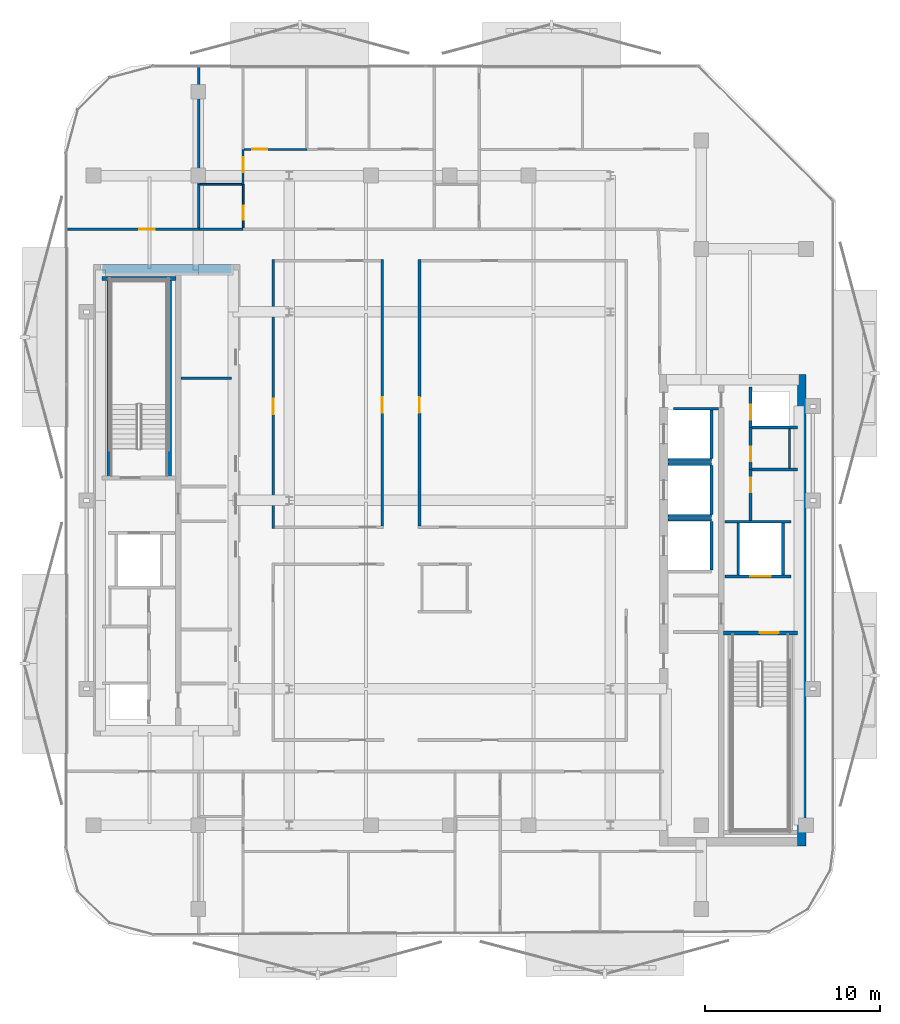
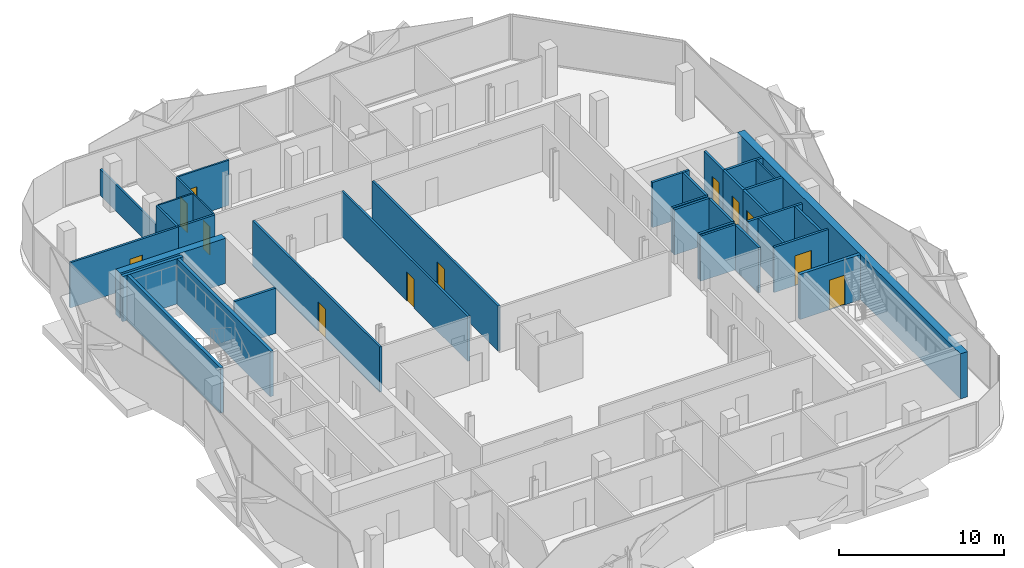
# One storey, part 5 of 16: 36 walls, 12 doors, 12 openings.
"""IFC4 building model written with IfcOpenShell, lengths in metres."""

from ifc_helpers import new_model, si_unit, direction, frame, frame_2d, origin, place, context, subcontext, project, spatial, rectangle, extrude, material, layer, layer_set, type_object, element, fill, save


model = new_model("IFC4")

# Units and contexts
model_context = context("Model", 3, precision=1e-05, world=origin(), true_north=direction((0.0, 1.0)))
body_context = subcontext(model_context, "Body", "Model", "MODEL_VIEW")
ifc_project = project(units=[si_unit("LENGTHUNIT", "METRE"), si_unit("AREAUNIT", "SQUARE_METRE"), si_unit("VOLUMEUNIT", "CUBIC_METRE"), si_unit("PLANEANGLEUNIT", "RADIAN"), si_unit("MASSUNIT", "GRAM", prefix="KILO")], contexts=[model_context])

# Site, building, storey
site_placement = place(None, origin())
site = spatial("IfcSite", under=ifc_project, at=site_placement, CompositionType="ELEMENT")
building_placement = place(site_placement, origin())
building = spatial("IfcBuilding", under=site, at=building_placement, Name="Khairoan Windgate Tower", CompositionType="ELEMENT")
storey_placement = place(building_placement, frame((0.0, 0.0, 258.39990234375)))
storey = spatial("IfcBuildingStorey", under=building, at=storey_placement, Name="L61", CompositionType="ELEMENT", Elevation=258.39990234375)

# Wall
ifc_material_1 = material(Name="Moisture-Resistant Gypsum Partition", Category="gypsum")
ifc_layer_1 = layer(ifc_material_1, 0.10009765625, Name="Moisture-Resistant Gypsum Partition")
ifc_layer_set_1 = layer_set([ifc_layer_1], Name="Moisture-Resistant Gypsum Partition")
wall_type_1 = type_object("IfcWallType", Name="Bathroom Wet-Area Partition Wall", PredefinedType="PARTITIONING", material=ifc_layer_set_1)
wall_1_placement = place(storey_placement, frame((-14.300048828125, 18.10009765625, 0.0), z_axis=(0.0, 0.0, 1.0), x_axis=(1.0, 0.0, 0.0)))
element("IfcWall", 1, at=wall_1_placement, inside=storey, type_object=wall_type_1, Name="L61 Interior Partition 039", PredefinedType="PARTITIONING", context=body_context, shape_type="SweptSolid", body=[
    extrude(rectangle(XDim=2.420166015625, YDim=0.10009765625, at=frame_2d((1.2099609375, 0.0))), origin(), (0.0, 0.0, 1.0), 3.340087890625),
])

# Wall, opening, door
wall_2_placement = place(storey_placement, frame((-11.830078125, 15.60009765625, 0.0), z_axis=(0.0, 0.0, 1.0), x_axis=(0.0, 1.0, 0.0)))
wall_2 = element("IfcWall", 2, at=wall_2_placement, inside=storey, type_object=wall_type_1, Name="L61 Interior Partition 040", PredefinedType="PARTITIONING", context=body_context, shape_type="SweptSolid", body=[
    extrude(rectangle(XDim=2.5, YDim=0.10009765625, at=frame_2d((1.25, 0.0))), origin(), (0.0, 0.0, 1.0), 3.340087890625),
])
opening_1_placement = place(wall_2_placement, frame((0.4599609375, 0.0, 0.0)))
opening_1 = element("IfcOpeningElement", 3, at=opening_1_placement, cuts=wall_2, Name="Opening ID-BTH", PredefinedType="OPENING", context=body_context, shape_type="SweptSolid", body=[
    extrude(rectangle(XDim=0.800048828125, YDim=2.10009765625, at=frame_2d((0.39990234375, 1.050048828125))), frame((0.0, 0.06005859375, 0.0), z_axis=(0.0, -1.0, 0.0), x_axis=(1.0, 0.0, 0.0)), (0.0, 0.0, 1.0), 0.1201171875),
])
ifc_material_2 = material(Name="Teak Veneer Timber Leaf", Category="wood")
door_type_1 = type_object("IfcDoorType", Name="Internal Bathroom Door ID-BTH 800x2100", OperationType="NOTDEFINED", PredefinedType="DOOR", material=ifc_material_2)
door_1_placement = place(opening_1_placement, origin())
door_1 = element("IfcDoor", 4, at=door_1_placement, inside=storey, type_object=door_type_1, Name="L61 L61-33-L61-35 Door", OperationType="SINGLE_SWING_RIGHT", OverallHeight=2.10009765625, OverallWidth=0.800048828125, PredefinedType="DOOR", context=body_context, shape_type="SweptSolid", body=[
    extrude(rectangle(XDim=0.800048828125, YDim=2.10009765625, at=frame_2d((0.39990234375, 1.050048828125))), frame((0.0, 0.02490234375, 0.0), z_axis=(0.0, -1.0, 0.0), x_axis=(1.0, 0.0, 0.0)), (0.0, 0.0, 1.0), 0.050048828125),
])
fill(opening_1, door_1)

# Walls
wall_3_placement = place(storey_placement, frame((19.449951171875, 4.090087890625, 0.0), z_axis=(0.0, 0.0, 1.0), x_axis=(0.0, -1.0, 0.0)))
element("IfcWall", 5, at=wall_3_placement, inside=storey, type_object=wall_type_1, Name="L61 Wet Room Side Wall 082", PredefinedType="PARTITIONING", context=body_context, shape_type="SweptSolid", body=[
    extrude(rectangle(XDim=2.239990234375, YDim=0.10009765625, at=frame_2d((1.1201171875, 0.0))), origin(), (0.0, 0.0, 1.0), 3.340087890625),
])
ifc_material_3 = material(Name="Concrete C40/50", Category="concrete")
ifc_layer_2 = layer(ifc_material_3, 0.159912109375, Name="Concrete C40/50")
ifc_layer_set_2 = layer_set([ifc_layer_2], Name="Concrete C40/50")
wall_type_2 = type_object("IfcWallType", Name="Core and Hoistway Enclosure Wall", PredefinedType="STANDARD", material=ifc_layer_set_2)
wall_4_placement = place(storey_placement, frame((12.5, 2.31005859375, 0.0), z_axis=(0.0, 0.0, 1.0), x_axis=(1.0, 0.0, 0.0)))
element("IfcWall", 6, at=wall_4_placement, inside=storey, type_object=wall_type_2, Name="L61 Lift PL7 Hoistway Divider S", PredefinedType="STANDARD", context=body_context, shape_type="SweptSolid", body=[
    extrude(rectangle(XDim=2.489990234375, YDim=0.159912109375, at=frame_2d((1.2451171875, 0.0))), origin(), (0.0, 0.0, 1.0), 3.340087890625),
])
wall_5_placement = place(storey_placement, frame((14.989990234375, 2.39990234375, 0.0), z_axis=(0.0, 0.0, 1.0), x_axis=(0.0, 1.0, 0.0)))
element("IfcWall", 7, at=wall_5_placement, inside=storey, type_object=wall_type_2, Name="L61 Lift PL7 Hoistway Back Wall", PredefinedType="STANDARD", context=body_context, shape_type="SweptSolid", body=[
    extrude(rectangle(XDim=2.800048828125, YDim=0.159912109375, at=frame_2d((1.39990234375, 0.0))), origin(), (0.0, 0.0, 1.0), 3.340087890625),
])
for number, where, z_axis, x_axis, name in (
    (8, (12.5, -0.889892578125, 0.0), (0.0, 0.0, 1.0), (1.0, 0.0, 0.0), "L61 Lift PL8 Hoistway Divider S"),
    (9, (12.5, 2.090087890625, 0.0), (0.0, 0.0, 1.0), (1.0, 0.0, 0.0), "L61 Lift PL8 Hoistway Divider N"),
):
    element("IfcWall", number, at=place(storey_placement, frame(where, z_axis=z_axis, x_axis=x_axis)), inside=storey, type_object=wall_type_2, Name=name, PredefinedType="STANDARD", context=body_context, shape_type="SweptSolid", body=[
        extrude(rectangle(XDim=2.489990234375, YDim=0.159912109375, at=frame_2d((1.2451171875, 0.0))), origin(), (0.0, 0.0, 1.0), 3.340087890625),
    ])
wall_6_placement = place(storey_placement, frame((14.989990234375, -0.800048828125, 0.0), z_axis=(0.0, 0.0, 1.0), x_axis=(0.0, 1.0, 0.0)))
element("IfcWall", 10, at=wall_6_placement, inside=storey, type_object=wall_type_2, Name="L61 Lift PL8 Hoistway Back Wall", PredefinedType="STANDARD", context=body_context, shape_type="SweptSolid", body=[
    extrude(rectangle(XDim=2.800048828125, YDim=0.159912109375, at=frame_2d((1.39990234375, 0.0))), origin(), (0.0, 0.0, 1.0), 3.340087890625),
])
wall_7_placement = place(storey_placement, frame((12.5, -1.110107421875, 0.0), z_axis=(0.0, 0.0, 1.0), x_axis=(1.0, 0.0, 0.0)))
element("IfcWall", 11, at=wall_7_placement, inside=storey, type_object=wall_type_2, Name="L61 Lift PL9 Hoistway Divider N", PredefinedType="STANDARD", context=body_context, shape_type="SweptSolid", body=[
    extrude(rectangle(XDim=2.489990234375, YDim=0.159912109375, at=frame_2d((1.2451171875, 0.0))), origin(), (0.0, 0.0, 1.0), 3.340087890625),
])
wall_8_placement = place(storey_placement, frame((14.989990234375, -4.0, 0.0), z_axis=(0.0, 0.0, 1.0), x_axis=(0.0, 1.0, 0.0)))
element("IfcWall", 12, at=wall_8_placement, inside=storey, type_object=wall_type_2, Name="L61 Lift PL9 Hoistway Back Wall", PredefinedType="STANDARD", context=body_context, shape_type="SweptSolid", body=[
    extrude(rectangle(XDim=2.800048828125, YDim=0.159912109375, at=frame_2d((1.39990234375, 0.0))), origin(), (0.0, 0.0, 1.0), 3.340087890625),
])

# Wall, opening, door
wall_9_placement = place(storey_placement, frame((15.75, -4.360107421875, 0.0), z_axis=(0.0, 0.0, 1.0), x_axis=(1.0, 0.0, 0.0)))
wall_9 = element("IfcWall", 13, at=wall_9_placement, inside=storey, type_object=wall_type_2, Name="L61 Core Shaft Wall SW-FL1-L61", PredefinedType="STANDARD", context=body_context, shape_type="SweptSolid", body=[
    extrude(rectangle(XDim=3.800048828125, YDim=0.159912109375, at=frame_2d((1.89990234375, 0.0))), origin(), (0.0, 0.0, 1.0), 3.340087890625),
])
opening_2_placement = place(wall_9_placement, frame((1.469970703125, 0.0, 0.0)))
opening_2 = element("IfcOpeningElement", 14, at=opening_2_placement, cuts=wall_9, Name="Opening LD-FL", PredefinedType="OPENING", context=body_context, shape_type="SweptSolid", body=[
    extrude(rectangle(XDim=1.14990234375, YDim=2.199951171875, at=frame_2d((0.574951171875, 1.10009765625))), frame((0.0, 0.08984375, 0.0), z_axis=(0.0, -1.0, 0.0), x_axis=(1.0, 0.0, 0.0)), (0.0, 0.0, 1.0), 0.179931640625),
])
ifc_material_4 = material(Name="Steel S355", Category="steel")
door_type_2 = type_object("IfcDoorType", Name="Firefighting Lift Sliding Landing Door LD-FL 1150x2200", OperationType="DOUBLE_DOOR_SLIDING", PredefinedType="DOOR", material=ifc_material_4)
door_2_placement = place(opening_2_placement, origin())
door_2 = element("IfcDoor", 15, at=door_2_placement, inside=storey, type_object=door_type_2, Name="L61 Firefighting Lift FL1 Landing Door", OperationType="DOUBLE_DOOR_SLIDING", OverallHeight=2.199951171875, OverallWidth=1.14990234375, PredefinedType="DOOR", context=body_context, shape_type="SweptSolid", body=[
    extrude(rectangle(XDim=1.14990234375, YDim=2.199951171875, at=frame_2d((0.574951171875, 1.10009765625))), frame((0.0, 0.02490234375, 0.0), z_axis=(0.0, -1.0, 0.0), x_axis=(1.0, 0.0, 0.0)), (0.0, 0.0, 1.0), 0.050048828125),
])
fill(opening_2, door_2)

# Walls
wall_10_placement = place(storey_placement, frame((15.75, -1.219970703125, 0.0), z_axis=(0.0, 0.0, 1.0), x_axis=(1.0, 0.0, 0.0)))
element("IfcWall", 16, at=wall_10_placement, inside=storey, type_object=wall_type_2, Name="L61 Core Shaft Wall SW-FL1T-L61", PredefinedType="STANDARD", context=body_context, shape_type="SweptSolid", body=[
    extrude(rectangle(XDim=3.800048828125, YDim=0.159912109375, at=frame_2d((1.89990234375, 0.0))), origin(), (0.0, 0.0, 1.0), 3.340087890625),
])
for number, where, z_axis, x_axis, name in (
    (17, (16.52001953125, -4.280029296875, 0.0), (0.0, 0.0, 1.0), (0.0, 1.0, 0.0), "L61 Core Shaft Wall SW-FL1W-L61"),
    (18, (19.080078125, -4.280029296875, 0.0), (0.0, 0.0, 1.0), (0.0, 1.0, 0.0), "L61 Core Shaft Wall SW-FL1E-L61"),
):
    element("IfcWall", number, at=place(storey_placement, frame(where, z_axis=z_axis, x_axis=x_axis)), inside=storey, type_object=wall_type_2, Name=name, PredefinedType="STANDARD", context=body_context, shape_type="SweptSolid", body=[
        extrude(rectangle(XDim=2.97998046875, YDim=0.159912109375, at=frame_2d((1.489990234375, 0.0))), origin(), (0.0, 0.0, 1.0), 3.340087890625),
    ])
wall_11_placement = place(storey_placement, frame((12.800048828125, 5.25, 0.0), z_axis=(0.0, 0.0, 1.0), x_axis=(1.0, 0.0, 0.0)))
element("IfcWall", 19, at=wall_11_placement, inside=storey, type_object=wall_type_2, Name="L61 Core Shaft Wall SW-ESV-L61", PredefinedType="STANDARD", context=body_context, shape_type="SweptSolid", body=[
    extrude(rectangle(XDim=2.599853515625, YDim=0.159912109375, at=frame_2d((1.2998046875, 0.0))), origin(), (0.0, 0.0, 1.0), 3.340087890625),
])
ifc_material_5 = material(Name="Acoustic Fire-Rated Gypsum Partition", Category="gypsum")
ifc_layer_3 = layer(ifc_material_5, 0.139892578125, Name="Acoustic Fire-Rated Gypsum Partition")
ifc_layer_set_3 = layer_set([ifc_layer_3], Name="Acoustic Fire-Rated Gypsum Partition")
wall_type_3 = type_object("IfcWallType", Name="Inter-Tenancy Compartment Wall", PredefinedType="PARTITIONING", material=ifc_layer_set_3)
wall_12_placement = place(storey_placement, frame((-14.3701171875, 15.60009765625, 0.0), z_axis=(0.0, 0.0, 1.0), x_axis=(0.0, 1.0, 0.0)))
element("IfcWall", 20, at=wall_12_placement, inside=storey, type_object=wall_type_3, Name="L61 Interior Partition 041", PredefinedType="PARTITIONING", context=body_context, shape_type="SweptSolid", body=[
    extrude(rectangle(XDim=2.5, YDim=0.139892578125, at=frame_2d((1.25, 0.0))), origin(), (0.0, 0.0, 1.0), 3.340087890625),
])
wall_13_placement = place(storey_placement, frame((-14.3701171875, 18.10009765625, 0.0), z_axis=(0.0, 0.0, 1.0), x_axis=(0.0, 1.0, 0.0)))
element("IfcWall", 21, at=wall_13_placement, inside=storey, type_object=wall_type_3, Name="L61 Interior Partition 044", PredefinedType="PARTITIONING", context=body_context, shape_type="SweptSolid", body=[
    extrude(rectangle(XDim=6.7548828125, YDim=0.139892578125, at=frame_2d((3.37744140625, 0.0))), origin(), (0.0, 0.0, 1.0), 1.940185546875),
])

# Wall, opening, door
ifc_material_6 = material(Name="Gypsum Stud Partition", Category="gypsum")
ifc_layer_4 = layer(ifc_material_6, 0.1201171875, Name="Gypsum Stud Partition")
ifc_layer_set_4 = layer_set([ifc_layer_4], Name="Gypsum Stud Partition")
wall_type_4 = type_object("IfcWallType", Name="Internal Room Partition Wall", PredefinedType="PARTITIONING", material=ifc_layer_set_4)
wall_14_placement = place(storey_placement, frame((-11.830078125, 18.10009765625, 0.0), z_axis=(0.0, 0.0, 1.0), x_axis=(0.0, 1.0, 0.0)))
wall_14 = element("IfcWall", 22, at=wall_14_placement, inside=storey, type_object=wall_type_4, Name="L61 Interior Partition 042", PredefinedType="PARTITIONING", context=body_context, shape_type="SweptSolid", body=[
    extrude(rectangle(XDim=2.0, YDim=0.1201171875, at=frame_2d((1.0, 0.0))), origin(), (0.0, 0.0, 1.0), 3.340087890625),
])
opening_3_placement = place(wall_14_placement, frame((0.679931640625, 0.0, 0.0)))
opening_3 = element("IfcOpeningElement", 23, at=opening_3_placement, cuts=wall_14, Name="Opening ID-RM", PredefinedType="OPENING", context=body_context, shape_type="SweptSolid", body=[
    extrude(rectangle(XDim=0.860107421875, YDim=2.14990234375, at=frame_2d((0.43017578125, 1.074951171875))), frame((0.0, 0.070068359375, 0.0), z_axis=(0.0, -1.0, 0.0), x_axis=(1.0, 0.0, 0.0)), (0.0, 0.0, 1.0), 0.14013671875),
])
ifc_material_7 = material(Name="Teak Veneer Timber Leaf", Category="wood")
door_type_3 = type_object("IfcDoorType", Name="Internal Bedroom and Office Door ID-RM 860x2150", OperationType="NOTDEFINED", PredefinedType="DOOR", material=ifc_material_7)
door_3_placement = place(opening_3_placement, origin())
door_3 = element("IfcDoor", 24, at=door_3_placement, inside=storey, type_object=door_type_3, Name="L61 L61-34-L61-35 Door", OperationType="SINGLE_SWING_LEFT", OverallHeight=2.14990234375, OverallWidth=0.860107421875, PredefinedType="DOOR", context=body_context, shape_type="SweptSolid", body=[
    extrude(rectangle(XDim=0.860107421875, YDim=2.14990234375, at=frame_2d((0.43017578125, 1.074951171875))), frame((0.0, 0.02490234375, 0.0), z_axis=(0.0, -1.0, 0.0), x_axis=(1.0, 0.0, 0.0)), (0.0, 0.0, 1.0), 0.050048828125),
])
fill(opening_3, door_3)

wall_15_placement = place(storey_placement, frame((-11.77001953125, 20.10009765625, 0.0), z_axis=(0.0, 0.0, 1.0), x_axis=(1.0, 0.0, 0.0)))
wall_15 = element("IfcWall", 25, at=wall_15_placement, inside=storey, type_object=wall_type_4, Name="L61 Interior Partition 045", PredefinedType="PARTITIONING", context=body_context, shape_type="SweptSolid", body=[
    extrude(rectangle(XDim=3.5830078125, YDim=0.1201171875, at=frame_2d((1.79150390625, 0.0))), origin(), (0.0, 0.0, 1.0), 3.340087890625),
])
opening_4_placement = place(wall_15_placement, frame((0.4599609375, 0.0, 0.0)))
opening_4 = element("IfcOpeningElement", 26, at=opening_4_placement, cuts=wall_15, Name="Opening ID-RM", PredefinedType="OPENING", context=body_context, shape_type="SweptSolid", body=[
    extrude(rectangle(XDim=0.860107421875, YDim=2.14990234375, at=frame_2d((0.43017578125, 1.074951171875))), frame((0.0, 0.070068359375, 0.0), z_axis=(0.0, -1.0, 0.0), x_axis=(1.0, 0.0, 0.0)), (0.0, 0.0, 1.0), 0.14013671875),
])
door_4_placement = place(opening_4_placement, origin())
door_4 = element("IfcDoor", 27, at=door_4_placement, inside=storey, type_object=door_type_3, Name="L61 L61-35-L61-36 Door", OperationType="SINGLE_SWING_RIGHT", OverallHeight=2.14990234375, OverallWidth=0.860107421875, PredefinedType="DOOR", context=body_context, shape_type="SweptSolid", body=[
    extrude(rectangle(XDim=0.860107421875, YDim=2.14990234375, at=frame_2d((0.43017578125, 1.074951171875))), frame((0.0, 0.02490234375, 0.0), z_axis=(0.0, -1.0, 0.0), x_axis=(1.0, 0.0, 0.0)), (0.0, 0.0, 1.0), 0.050048828125),
])
fill(opening_4, door_4)

# Wall
ifc_material_8 = material(Name="Concrete C40/50", Category="concrete")
ifc_layer_5 = layer(ifc_material_8, 0.159912109375, Name="Concrete C40/50")
ifc_layer_set_5 = layer_set([ifc_layer_5], Name="Concrete C40/50")
wall_type_5 = type_object("IfcWallType", Name="Plant and Refuge Compartment Wall", PredefinedType="PARTITIONING", material=ifc_layer_set_5)
wall_16_placement = place(storey_placement, frame((-15.39990234375, 7.0, 0.0), z_axis=(0.0, 0.0, 1.0), x_axis=(1.0, 0.0, 0.0)))
element("IfcWall", 28, at=wall_16_placement, inside=storey, type_object=wall_type_5, Name="L61 Interior Partition 006", PredefinedType="PARTITIONING", context=body_context, shape_type="SweptSolid", body=[
    extrude(rectangle(XDim=2.89990234375, YDim=0.159912109375, at=frame_2d((1.449951171875, 0.0))), origin(), (0.0, 0.0, 1.0), 3.340087890625),
])

# Wall, opening, door
wall_17_placement = place(storey_placement, frame((17.22998046875, 4.169921875, 0.0), z_axis=(0.0, 0.0, 1.0), x_axis=(0.0, 1.0, 0.0)))
wall_17 = element("IfcWall", 29, at=wall_17_placement, inside=storey, type_object=wall_type_5, Name="L61 Interior Partition 008", PredefinedType="PARTITIONING", context=body_context, shape_type="SweptSolid", body=[
    extrude(rectangle(XDim=2.320068359375, YDim=0.159912109375, at=frame_2d((1.16015625, 0.0))), origin(), (0.0, 0.0, 1.0), 3.340087890625),
])
opening_5_placement = place(wall_17_placement, frame((0.4599609375, 0.0, 0.0)))
opening_5 = element("IfcOpeningElement", 30, at=opening_5_placement, cuts=wall_17, Name="Opening FD-SRV", PredefinedType="OPENING", context=body_context, shape_type="SweptSolid", body=[
    extrude(rectangle(XDim=0.85009765625, YDim=2.10009765625, at=frame_2d((0.425048828125, 1.050048828125))), frame((0.0, 0.08984375, 0.0), z_axis=(0.0, -1.0, 0.0), x_axis=(1.0, 0.0, 0.0)), (0.0, 0.0, 1.0), 0.179931640625),
])
ifc_material_9 = material(Name="Steel S355", Category="steel")
door_type_4 = type_object("IfcDoorType", Name="Core Service and Riser Fire Door FD-SRV 850x2100", OperationType="NOTDEFINED", PredefinedType="DOOR", material=ifc_material_9)
door_5_placement = place(opening_5_placement, origin())
door_5 = element("IfcDoor", 31, at=door_5_placement, inside=storey, type_object=door_type_4, Name="L61 L61-17-L61-18 Door", OperationType="SINGLE_SWING_LEFT", OverallHeight=2.10009765625, OverallWidth=0.85009765625, PredefinedType="DOOR", context=body_context, shape_type="SweptSolid", body=[
    extrude(rectangle(XDim=0.85009765625, YDim=2.10009765625, at=frame_2d((0.425048828125, 1.050048828125))), frame((0.0, 0.02490234375, 0.0), z_axis=(0.0, -1.0, 0.0), x_axis=(1.0, 0.0, 0.0)), (0.0, 0.0, 1.0), 0.050048828125),
])
fill(opening_5, door_5)

wall_18_placement = place(storey_placement, frame((17.22998046875, 1.77001953125, 0.0), z_axis=(0.0, 0.0, 1.0), x_axis=(0.0, 1.0, 0.0)))
wall_18 = element("IfcWall", 32, at=wall_18_placement, inside=storey, type_object=wall_type_5, Name="L61 Interior Partition 009", PredefinedType="PARTITIONING", context=body_context, shape_type="SweptSolid", body=[
    extrude(rectangle(XDim=2.39990234375, YDim=0.159912109375, at=frame_2d((1.199951171875, 0.0))), origin(), (0.0, 0.0, 1.0), 3.340087890625),
])
opening_6_placement = place(wall_18_placement, frame((0.4599609375, 0.0, 0.0)))
opening_6 = element("IfcOpeningElement", 33, at=opening_6_placement, cuts=wall_18, Name="Opening FD-SRV", PredefinedType="OPENING", context=body_context, shape_type="SweptSolid", body=[
    extrude(rectangle(XDim=0.85009765625, YDim=2.10009765625, at=frame_2d((0.425048828125, 1.050048828125))), frame((0.0, 0.08984375, 0.0), z_axis=(0.0, -1.0, 0.0), x_axis=(1.0, 0.0, 0.0)), (0.0, 0.0, 1.0), 0.179931640625),
])
door_6_placement = place(opening_6_placement, origin())
door_6 = element("IfcDoor", 34, at=door_6_placement, inside=storey, type_object=door_type_4, Name="L61 L61-17-L61-19 Door", OperationType="SINGLE_SWING_RIGHT", OverallHeight=2.10009765625, OverallWidth=0.85009765625, PredefinedType="DOOR", context=body_context, shape_type="SweptSolid", body=[
    extrude(rectangle(XDim=0.85009765625, YDim=2.10009765625, at=frame_2d((0.425048828125, 1.050048828125))), frame((0.0, 0.02490234375, 0.0), z_axis=(0.0, -1.0, 0.0), x_axis=(1.0, 0.0, 0.0)), (0.0, 0.0, 1.0), 0.050048828125),
])
fill(opening_6, door_6)

wall_19_placement = place(storey_placement, frame((17.22998046875, -1.139892578125, 0.0), z_axis=(0.0, 0.0, 1.0), x_axis=(0.0, 1.0, 0.0)))
wall_19 = element("IfcWall", 35, at=wall_19_placement, inside=storey, type_object=wall_type_5, Name="L61 Interior Partition 010", PredefinedType="PARTITIONING", context=body_context, shape_type="SweptSolid", body=[
    extrude(rectangle(XDim=2.909912109375, YDim=0.159912109375, at=frame_2d((1.455078125, 0.0))), origin(), (0.0, 0.0, 1.0), 3.340087890625),
])
opening_7_placement = place(wall_19_placement, frame((1.60009765625, 0.0, 0.0)))
opening_7 = element("IfcOpeningElement", 36, at=opening_7_placement, cuts=wall_19, Name="Opening FD-SRV", PredefinedType="OPENING", context=body_context, shape_type="SweptSolid", body=[
    extrude(rectangle(XDim=0.85009765625, YDim=2.10009765625, at=frame_2d((0.425048828125, 1.050048828125))), frame((0.0, 0.08984375, 0.0), z_axis=(0.0, -1.0, 0.0), x_axis=(1.0, 0.0, 0.0)), (0.0, 0.0, 1.0), 0.179931640625),
])
door_7_placement = place(opening_7_placement, origin())
door_7 = element("IfcDoor", 37, at=door_7_placement, inside=storey, type_object=door_type_4, Name="L61 L61-17-L61-20 Door", OperationType="SINGLE_SWING_LEFT", OverallHeight=2.10009765625, OverallWidth=0.85009765625, PredefinedType="DOOR", context=body_context, shape_type="SweptSolid", body=[
    extrude(rectangle(XDim=0.85009765625, YDim=2.10009765625, at=frame_2d((0.425048828125, 1.050048828125))), frame((0.0, 0.02490234375, 0.0), z_axis=(0.0, -1.0, 0.0), x_axis=(1.0, 0.0, 0.0)), (0.0, 0.0, 1.0), 0.050048828125),
])
fill(opening_7, door_7)

# Walls
for number, where, z_axis, x_axis, name in (
    (38, (17.31005859375, 4.169921875, 0.0), (0.0, 0.0, 1.0), (1.0, 0.0, 0.0), "L61 Interior Partition 011"),
    (39, (17.31005859375, 1.77001953125, 0.0), (0.0, 0.0, 1.0), (1.0, 0.0, 0.0), "L61 Interior Partition 012"),
):
    element("IfcWall", number, at=place(storey_placement, frame(where, z_axis=z_axis, x_axis=x_axis)), inside=storey, type_object=wall_type_5, Name=name, PredefinedType="PARTITIONING", context=body_context, shape_type="SweptSolid", body=[
        extrude(rectangle(XDim=2.58984375, YDim=0.159912109375, at=frame_2d((1.294921875, 0.0))), origin(), (0.0, 0.0, 1.0), 3.340087890625),
    ])

# Wall, opening, door
ifc_material_10 = material(Name="Acoustic Fire-Rated Gypsum Partition", Category="gypsum")
ifc_layer_6 = layer(ifc_material_10, 0.14990234375, Name="Acoustic Fire-Rated Gypsum Partition")
ifc_layer_set_6 = layer_set([ifc_layer_6], Name="Acoustic Fire-Rated Gypsum Partition")
wall_type_6 = type_object("IfcWallType", Name="Rated Corridor Partition Wall", PredefinedType="PARTITIONING", material=ifc_layer_set_6)
wall_20_placement = place(storey_placement, frame((-10.10009765625, -1.610107421875, 0.0), z_axis=(0.0, 0.0, 1.0), x_axis=(0.0, 1.0, 0.0)))
wall_20 = element("IfcWall", 40, at=wall_20_placement, inside=storey, type_object=wall_type_6, Name="L61 Interior Partition 013", PredefinedType="PARTITIONING", context=body_context, shape_type="SweptSolid", body=[
    extrude(rectangle(XDim=15.405029296875, YDim=0.14990234375, at=frame_2d((7.70263671875, 0.0))), origin(), (0.0, 0.0, 1.0), 3.340087890625),
])
opening_8_placement = place(wall_20_placement, frame((6.542724609375, 0.0, 0.0)))
opening_8 = element("IfcOpeningElement", 41, at=opening_8_placement, cuts=wall_20, Name="Opening FD-ENT", PredefinedType="OPENING", context=body_context, shape_type="SweptSolid", body=[
    extrude(rectangle(XDim=0.89990234375, YDim=2.14990234375, at=frame_2d((0.449951171875, 1.074951171875))), frame((0.0, 0.0849609375, 0.0), z_axis=(0.0, -1.0, 0.0), x_axis=(1.0, 0.0, 0.0)), (0.0, 0.0, 1.0), 0.169921875),
])
ifc_material_11 = material(Name="Timber Fire-Rated Core", Category="wood")
door_type_5 = type_object("IfcDoorType", Name="Unit and Office Fire Entrance Door FD-ENT 900x2150", OperationType="NOTDEFINED", PredefinedType="DOOR", material=ifc_material_11)
door_8_placement = place(opening_8_placement, origin())
door_8 = element("IfcDoor", 42, at=door_8_placement, inside=storey, type_object=door_type_5, Name="L61 L61-27-L61-57 Door", OperationType="SINGLE_SWING_RIGHT", OverallHeight=2.14990234375, OverallWidth=0.89990234375, PredefinedType="DOOR", context=body_context, shape_type="SweptSolid", body=[
    extrude(rectangle(XDim=0.89990234375, YDim=2.14990234375, at=frame_2d((0.449951171875, 1.074951171875))), frame((0.0, 0.02490234375, 0.0), z_axis=(0.0, -1.0, 0.0), x_axis=(1.0, 0.0, 0.0)), (0.0, 0.0, 1.0), 0.050048828125),
])
fill(opening_8, door_8)

wall_21_placement = place(storey_placement, frame((-3.864990234375, -1.4599609375, 0.0), z_axis=(0.0, 0.0, 1.0), x_axis=(0.0, 1.0, 0.0)))
wall_21 = element("IfcWall", 43, at=wall_21_placement, inside=storey, type_object=wall_type_6, Name="L61 Interior Partition 022", PredefinedType="PARTITIONING", context=body_context, shape_type="SweptSolid", body=[
    extrude(rectangle(XDim=15.2548828125, YDim=0.14990234375, at=frame_2d((7.62744140625, 0.0))), origin(), (0.0, 0.0, 1.0), 3.340087890625),
])
opening_9_placement = place(wall_21_placement, frame((6.4755859375, 0.0, 0.0)))
opening_9 = element("IfcOpeningElement", 44, at=opening_9_placement, cuts=wall_21, Name="Opening FD-ENT", PredefinedType="OPENING", context=body_context, shape_type="SweptSolid", body=[
    extrude(rectangle(XDim=0.89990234375, YDim=2.14990234375, at=frame_2d((0.449951171875, 1.074951171875))), frame((0.0, 0.0849609375, 0.0), z_axis=(0.0, -1.0, 0.0), x_axis=(1.0, 0.0, 0.0)), (0.0, 0.0, 1.0), 0.169921875),
])
door_9_placement = place(opening_9_placement, origin())
door_9 = element("IfcDoor", 45, at=door_9_placement, inside=storey, type_object=door_type_5, Name="L61 L61-30-L61-57 Door", OperationType="SINGLE_SWING_LEFT", OverallHeight=2.14990234375, OverallWidth=0.89990234375, PredefinedType="DOOR", context=body_context, shape_type="SweptSolid", body=[
    extrude(rectangle(XDim=0.89990234375, YDim=2.14990234375, at=frame_2d((0.449951171875, 1.074951171875))), frame((0.0, 0.02490234375, 0.0), z_axis=(0.0, -1.0, 0.0), x_axis=(1.0, 0.0, 0.0)), (0.0, 0.0, 1.0), 0.050048828125),
])
fill(opening_9, door_9)

wall_22_placement = place(storey_placement, frame((-1.735107421875, -1.4599609375, 0.0), z_axis=(0.0, 0.0, 1.0), x_axis=(0.0, 1.0, 0.0)))
wall_22 = element("IfcWall", 46, at=wall_22_placement, inside=storey, type_object=wall_type_6, Name="L61 Interior Partition 023", PredefinedType="PARTITIONING", context=body_context, shape_type="SweptSolid", body=[
    extrude(rectangle(XDim=15.2548828125, YDim=0.14990234375, at=frame_2d((7.62744140625, 0.0))), origin(), (0.0, 0.0, 1.0), 3.340087890625),
])
opening_10_placement = place(wall_22_placement, frame((6.4755859375, 0.0, 0.0)))
opening_10 = element("IfcOpeningElement", 47, at=opening_10_placement, cuts=wall_22, Name="Opening FD-ENT", PredefinedType="OPENING", context=body_context, shape_type="SweptSolid", body=[
    extrude(rectangle(XDim=0.89990234375, YDim=2.14990234375, at=frame_2d((0.449951171875, 1.074951171875))), frame((0.0, 0.0849609375, 0.0), z_axis=(0.0, -1.0, 0.0), x_axis=(1.0, 0.0, 0.0)), (0.0, 0.0, 1.0), 0.169921875),
])
door_10_placement = place(opening_10_placement, origin())
door_10 = element("IfcDoor", 48, at=door_10_placement, inside=storey, type_object=door_type_5, Name="L61 L61-30-L61-59 Door", OperationType="SINGLE_SWING_RIGHT", OverallHeight=2.14990234375, OverallWidth=0.89990234375, PredefinedType="DOOR", context=body_context, shape_type="SweptSolid", body=[
    extrude(rectangle(XDim=0.89990234375, YDim=2.14990234375, at=frame_2d((0.449951171875, 1.074951171875))), frame((0.0, 0.02490234375, 0.0), z_axis=(0.0, -1.0, 0.0), x_axis=(1.0, 0.0, 0.0)), (0.0, 0.0, 1.0), 0.050048828125),
])
fill(opening_10, door_10)

# Wall
wall_23_placement = place(storey_placement, frame((-14.3701171875, 15.52490234375, 0.0), z_axis=(0.0, 0.0, 1.0), x_axis=(1.0, 0.0, 0.0)))
element("IfcWall", 49, at=wall_23_placement, inside=storey, type_object=wall_type_6, Name="L61 Interior Partition 024", PredefinedType="PARTITIONING", context=body_context, shape_type="SweptSolid", body=[
    extrude(rectangle(XDim=2.5400390625, YDim=0.14990234375, at=frame_2d((1.27001953125, 0.0))), origin(), (0.0, 0.0, 1.0), 3.340087890625),
])

# Wall, opening, door
wall_24_placement = place(storey_placement, frame((-21.955078125, 15.52001953125, 0.0), z_axis=(0.0, 0.0, 1.0), x_axis=(0.999999792794, 0.000643749062, 0.0)))
wall_24 = element("IfcWall", 50, at=wall_24_placement, inside=storey, type_object=wall_type_6, Name="L61 Interior Partition 029", PredefinedType="PARTITIONING", context=body_context, shape_type="SweptSolid", body=[
    extrude(rectangle(XDim=7.5849609375, YDim=0.14990234375, at=frame_2d((3.79248046875, 0.0))), origin(), (0.0, 0.0, 1.0), 3.340087890625),
])
opening_11_placement = place(wall_24_placement, frame((4.166015625, 0.0, 0.0)))
opening_11 = element("IfcOpeningElement", 51, at=opening_11_placement, cuts=wall_24, Name="Opening FD-ENT", PredefinedType="OPENING", context=body_context, shape_type="SweptSolid", body=[
    extrude(rectangle(XDim=0.89990234375, YDim=2.14990234375, at=frame_2d((0.449951171875, 1.074951171875))), frame((0.0, 0.0849609375, 0.0), z_axis=(0.0, -1.0, 0.0), x_axis=(1.0, 0.0, 0.0)), (0.0, 0.0, 1.0), 0.169921875),
])
door_11_placement = place(opening_11_placement, origin())
door_11 = element("IfcDoor", 52, at=door_11_placement, inside=storey, type_object=door_type_5, Name="L61 L61-31-L61-55 Door", OperationType="SINGLE_SWING_RIGHT", OverallHeight=2.14990234375, OverallWidth=0.89990234375, PredefinedType="DOOR", context=body_context, shape_type="SweptSolid", body=[
    extrude(rectangle(XDim=0.89990234375, YDim=2.14990234375, at=frame_2d((0.449951171875, 1.074951171875))), frame((0.0, 0.02490234375, 0.0), z_axis=(0.0, -1.0, 0.0), x_axis=(1.0, 0.0, 0.0)), (0.0, 0.0, 1.0), 0.050048828125),
])
fill(opening_11, door_11)

# Walls
ifc_material_12 = material(Name="Concrete C50/60", Category="concrete")
ifc_layer_7 = layer(ifc_material_12, 0.5, Name="Concrete C50/60")
ifc_layer_set_7 = layer_set([ifc_layer_7], Name="Concrete C50/60")
wall_type_7 = type_object("IfcWallType", Name="Shear Wall CW-E3 500mm", PredefinedType="SHEAR", material=ifc_layer_set_7)
wall_25_placement = place(storey_placement, frame((20.14990234375, -19.800048828125, 0.0), z_axis=(0.0, 0.0, 1.0), x_axis=(0.0, 1.0, 0.0)))
element("IfcWall", 53, at=wall_25_placement, inside=storey, type_object=wall_type_7, Name="E Core East Shear Wall L61", PredefinedType="SHEAR", context=body_context, shape_type="SweptSolid", body=[
    extrude(rectangle(XDim=27.0, YDim=0.5, at=frame_2d((13.5, 0.0))), origin(), (0.0, 0.0, 1.0), 3.340087890625),
])
ifc_material_13 = material(Name="Concrete C50/60", Category="concrete")
ifc_layer_8 = layer(ifc_material_13, 0.5, Name="Concrete C50/60")
ifc_layer_set_8 = layer_set([ifc_layer_8], Name="Concrete C50/60")
wall_type_8 = type_object("IfcWallType", Name="Shear Wall CW-W3 500mm", PredefinedType="SHEAR", material=ifc_layer_set_8)
wall_26_placement = place(storey_placement, frame((-19.89990234375, 13.25, 0.0), z_axis=(0.0, 0.0, 1.0), x_axis=(1.0, 0.0, 0.0)))
element("IfcWall", 54, at=wall_26_placement, inside=storey, type_object=wall_type_8, Name="W Core North Shear Wall L61", PredefinedType="SHEAR", context=body_context, shape_type="SweptSolid", body=[
    extrude(rectangle(XDim=7.39990234375, YDim=0.5, at=frame_2d((3.699951171875, 0.0))), origin(), (0.0, 0.0, 1.0), 3.340087890625),
])

# Wall, opening, door
ifc_material_14 = material(Name="Concrete C50/60", Category="concrete")
ifc_layer_9 = layer(ifc_material_14, 0.219970703125, Name="Concrete C50/60")
ifc_layer_set_9 = layer_set([ifc_layer_9], Name="Concrete C50/60")
wall_type_9 = type_object("IfcWallType", Name="Shear Wall SW-ST 220mm", PredefinedType="SHEAR", material=ifc_layer_set_9)
wall_27_placement = place(storey_placement, frame((19.919921875, -7.590087890625, 0.0), z_axis=(0.0, 0.0, 1.0), x_axis=(-1.0, 0.0, 0.0)))
wall_27 = element("IfcWall", 55, at=wall_27_placement, inside=storey, type_object=wall_type_9, Name="L61 Stair ST1 North Bearing Wall", PredefinedType="SHEAR", context=body_context, shape_type="SweptSolid", body=[
    extrude(rectangle(XDim=4.239990234375, YDim=0.219970703125, at=frame_2d((2.1201171875, 0.0))), origin(), (0.0, 0.0, 1.0), 3.340087890625),
])
opening_12_placement = place(wall_27_placement, frame((1.080078125, 0.0, 0.0)))
opening_12 = element("IfcOpeningElement", 56, at=opening_12_placement, cuts=wall_27, Name="Opening FD-ST", PredefinedType="OPENING", context=body_context, shape_type="SweptSolid", body=[
    extrude(rectangle(XDim=1.10009765625, YDim=2.199951171875, at=frame_2d((0.550048828125, 1.10009765625))), frame((0.0, 0.119873046875, 0.0), z_axis=(0.0, -1.0, 0.0), x_axis=(1.0, 0.0, 0.0)), (0.0, 0.0, 1.0), 0.239990234375),
])
ifc_material_15 = material(Name="Steel S355", Category="steel")
door_type_6 = type_object("IfcDoorType", Name="Smokeproof Stair Fire Door FD-ST 1100x2200", OperationType="NOTDEFINED", PredefinedType="DOOR", material=ifc_material_15)
door_12_placement = place(opening_12_placement, origin())
door_12 = element("IfcDoor", 57, at=door_12_placement, inside=storey, type_object=door_type_6, Name="L61 Stair ST1 Fire Door", OperationType="SINGLE_SWING_LEFT", OverallHeight=2.199951171875, OverallWidth=1.10009765625, PredefinedType="DOOR", context=body_context, shape_type="SweptSolid", body=[
    extrude(rectangle(XDim=1.10009765625, YDim=2.199951171875, at=frame_2d((0.550048828125, 1.10009765625))), frame((0.0, 0.02490234375, 0.0), z_axis=(0.0, -1.0, 0.0), x_axis=(1.0, 0.0, 0.0)), (0.0, 0.0, 1.0), 0.050048828125),
])
fill(opening_12, door_12)

# Walls
for number, where, z_axis, x_axis, name in (
    (58, (-16.0400390625, 1.2900390625, 0.0), (0.0, 0.0, 1.0), (0.0, 1.0, 0.0), "L61 Stair ST2 East Bearing Wall"),
    (59, (-19.530029296875, 1.2900390625, 0.0), (0.0, 0.0, 1.0), (0.0, 1.0, 0.0), "L61 Stair ST2 West Bearing Wall"),
):
    element("IfcWall", number, at=place(storey_placement, frame(where, z_axis=z_axis, x_axis=x_axis)), inside=storey, type_object=wall_type_9, Name=name, PredefinedType="SHEAR", context=body_context, shape_type="SweptSolid", body=[
        extrude(rectangle(XDim=11.419921875, YDim=0.219970703125, at=frame_2d((5.7099609375, 0.0))), origin(), (0.0, 0.0, 1.0), 3.340087890625),
    ])
wall_28_placement = place(storey_placement, frame((-19.919921875, 12.7099609375, 0.0), z_axis=(0.0, 0.0, 1.0), x_axis=(1.0, 0.0, 0.0)))
element("IfcWall", 60, at=wall_28_placement, inside=storey, type_object=wall_type_9, Name="L61 Stair ST2 North Bearing Wall", PredefinedType="SHEAR", context=body_context, shape_type="SweptSolid", body=[
    extrude(rectangle(XDim=4.239990234375, YDim=0.219970703125, at=frame_2d((2.1201171875, 0.0))), origin(), (0.0, 0.0, 1.0), 3.340087890625),
])

save(model, "model.ifc")
